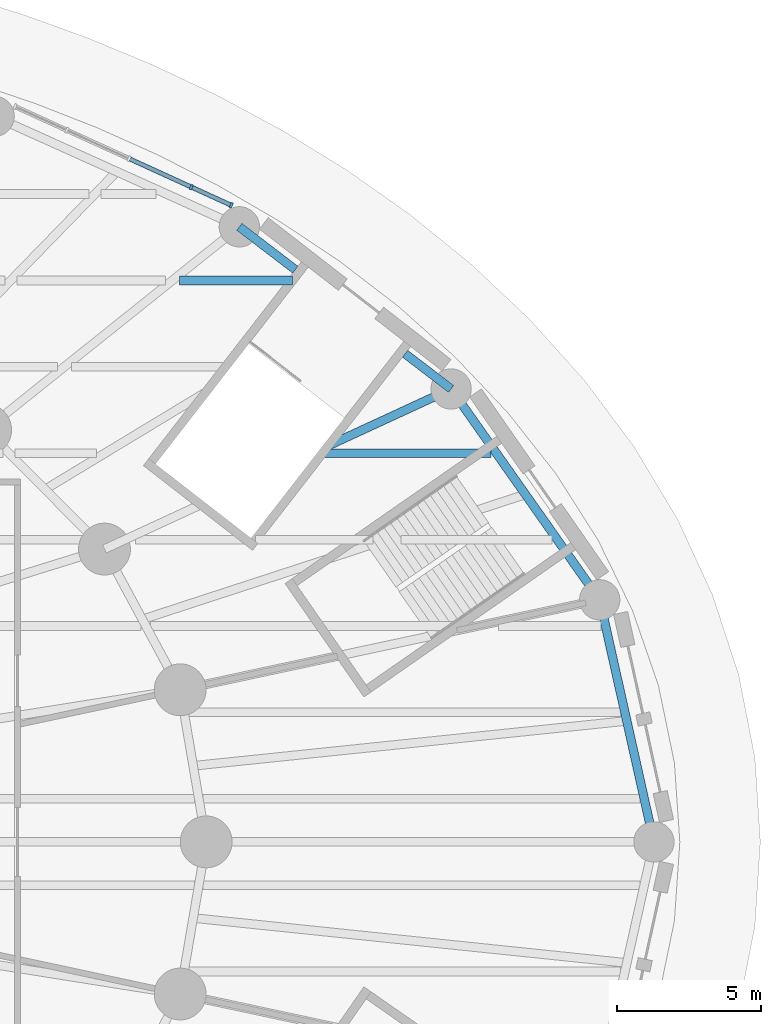
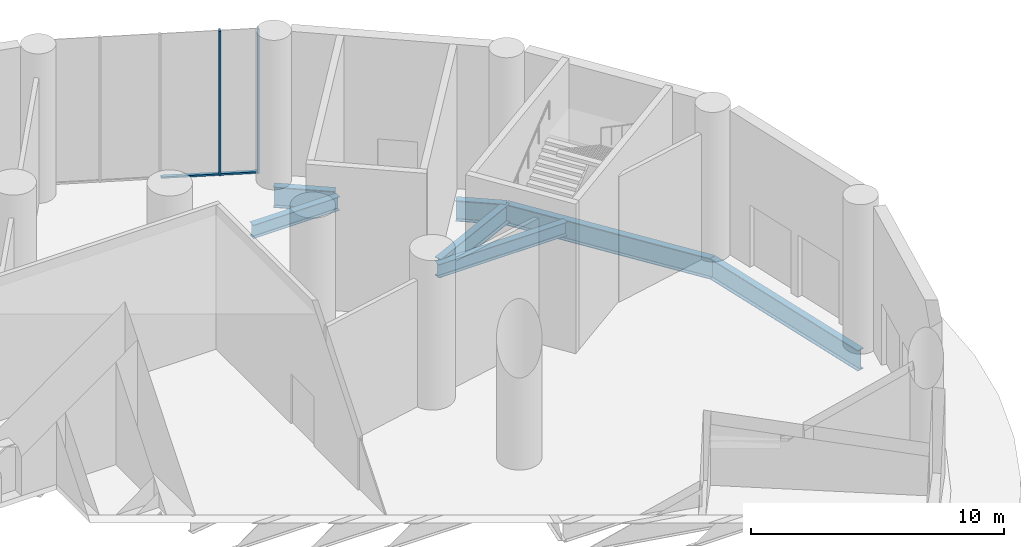
# One storey, part 10 of 22: 7 beams, 4 members, 1 element without a shape of its own.
"""IFC4 building model written with IfcOpenShell, lengths in metres."""

from ifc_helpers import new_model, si_unit, direction, frame, origin, origin_2d, place, context, subcontext, project, spatial, rectangle, i_section, extrude, material, material_profile, profile_set, type_object, element, aggregate, save


model = new_model("IFC4")

# Units and contexts
model_context = context("Model", 3, precision=1e-05, world=origin(), true_north=direction((0.0, 1.0)))
body_context = subcontext(model_context, "Body", "Model", "MODEL_VIEW")
ifc_project = project(units=[si_unit("LENGTHUNIT", "METRE"), si_unit("AREAUNIT", "SQUARE_METRE"), si_unit("VOLUMEUNIT", "CUBIC_METRE"), si_unit("PLANEANGLEUNIT", "RADIAN"), si_unit("MASSUNIT", "GRAM", prefix="KILO")], contexts=[model_context])

# Site, building, storey
site_placement = place(None, origin())
site = spatial("IfcSite", under=ifc_project, at=site_placement, CompositionType="ELEMENT")
building_placement = place(site_placement, origin())
building = spatial("IfcBuilding", under=site, at=building_placement, Name="Hankou Lantern Tower", CompositionType="ELEMENT")
storey_placement = place(building_placement, origin())
storey = spatial("IfcBuildingStorey", under=building, at=storey_placement, Name="L00", CompositionType="ELEMENT", Elevation=0.0)

# Curtain wall, members
ifc_material_1 = material(Name="Glass, dark grey tinted laminated", Category="glass")
curtain_wall_type = type_object("IfcCurtainWallType", Name="CWP PODIUM CURTAIN WALL", PredefinedType="USERDEFINED", material=ifc_material_1)
curtain_wall_placement = place(storey_placement, origin())
curtain_wall = element("IfcCurtainWall", 1, at=curtain_wall_placement, inside=storey, type_object=curtain_wall_type, Name="CWP L00 PC01", ObjectType="PODIUM GLAZING", PredefinedType="USERDEFINED")
ifc_material_2 = material(Name="Aluminium, black anodised", Category="aluminium")
ifc_material_profile_1 = material_profile(ifc_material_2, rectangle(XDim=0.080078125, YDim=0.199951171875, at=origin_2d()), Name="MU2 80X200")
ifc_profile_set_1 = profile_set([ifc_material_profile_1], Name="Aluminium, black anodised")
member_type_1 = type_object("IfcMemberType", Name="MU2 PODIUM MULLION 80X200", PredefinedType="MULLION", material=ifc_profile_set_1)
member_1_placement = place(storey_placement, frame((26.421630859375, 22.10986328125, 0.0), z_axis=(0.0, 0.0, 1.0), x_axis=(-0.909669790944, 0.41533224224, 0.0)))
member_1 = element("IfcMember", 2, at=member_1_placement, type_object=member_type_1, Name="CWP mullion 1", PredefinedType="MULLION", context=body_context, shape_type="SweptSolid", body=[
    extrude(rectangle(XDim=0.080078125, YDim=0.199951171875, at=origin_2d()), origin(), (0.0, 0.0, 1.0), 6.949951171875),
])
member_2_placement = place(storey_placement, frame((25.034423828125, 22.743408203125, 0.0), z_axis=(0.0, 0.0, 1.0), x_axis=(-0.909669790944, 0.41533224224, 0.0)))
member_2 = element("IfcMember", 3, at=member_2_placement, type_object=member_type_1, Name="CWP mullion 2", PredefinedType="MULLION", context=body_context, shape_type="SweptSolid", body=[
    extrude(rectangle(XDim=0.080078125, YDim=0.199951171875, at=origin_2d()), origin(), (0.0, 0.0, 1.0), 6.949951171875),
])

# Beams
ifc_material_3 = material(Name="Steel Q355B", Category="steel")
ifc_material_profile_2 = material_profile(ifc_material_3, i_section(OverallWidth=0.300048828125, OverallDepth=0.89990234375, WebThickness=0.01611328125, FlangeThickness=0.028076171875, FilletRadius=0.01806640625, at=origin_2d()), Name="HN900x300x16x28")
ifc_profile_set_2 = profile_set([ifc_material_profile_2], Name="Steel Q355B")
beam_type_1 = type_object("IfcBeamType", Name="PB13 PODIUM RADIAL BEAM HN900x300x16x28", PredefinedType="BEAM", material=ifc_profile_set_2)
beam_1_placement = place(storey_placement, frame((29.7900390625, 13.759521484375, -0.699951171875), z_axis=(0.907846846005, 0.41930192487, 0.0), x_axis=(-0.41930192487, 0.907846846005, 0.0)))
element("IfcBeam", 4, at=beam_1_placement, inside=storey, type_object=beam_type_1, Name="Podium radial beam R03 L00 outer part", PredefinedType="BEAM", context=body_context, shape_type="SweptSolid", body=[
    extrude(i_section(OverallWidth=0.300048828125, OverallDepth=0.89990234375, WebThickness=0.01611328125, FlangeThickness=0.028076171875, FilletRadius=0.01806640625, at=origin_2d()), origin(), (0.0, 0.0, 1.0), 4.699951171875),
])
ifc_material_4 = material(Name="Steel Q355B", Category="steel")
ifc_material_profile_3 = material_profile(ifc_material_4, i_section(OverallWidth=0.300048828125, OverallDepth=1.0, WebThickness=0.01904296875, FlangeThickness=0.035888671875, FilletRadius=0.01806640625, at=origin_2d()), Name="HN1000x300x19x36")
ifc_profile_set_3 = profile_set([ifc_material_profile_3], Name="Steel Q355B")
beam_type_2 = type_object("IfcBeamType", Name="PR22 PODIUM RING BEAM HN1000x300x19x36", PredefinedType="BEAM", material=ifc_profile_set_3)
beam_2_placement = place(storey_placement, frame((41.10009765625, 0.0, -0.75), z_axis=(-0.218523498172, 0.975831686689, 0.0), x_axis=(-0.975831686689, -0.218523498172, 0.0)))
element("IfcBeam", 5, at=beam_2_placement, inside=storey, type_object=beam_type_2, Name="Podium ring beam R01-R02 L00", PredefinedType="BEAM", context=body_context, shape_type="SweptSolid", body=[
    extrude(i_section(OverallWidth=0.300048828125, OverallDepth=1.0, WebThickness=0.01904296875, FlangeThickness=0.035888671875, FilletRadius=0.01806640625, at=origin_2d()), origin(), (0.0, 0.0, 1.0), 8.614990234375),
])
beam_3_placement = place(storey_placement, frame((39.217529296875, 8.40673828125, -0.75), z_axis=(-0.576021821376, 0.817434316199, 0.0), x_axis=(-0.817434316199, -0.576021821376, 0.0)))
element("IfcBeam", 6, at=beam_3_placement, inside=storey, type_object=beam_type_2, Name="Podium ring beam R02-R03 L00", PredefinedType="BEAM", context=body_context, shape_type="SweptSolid", body=[
    extrude(i_section(OverallWidth=0.300048828125, OverallDepth=1.0, WebThickness=0.01904296875, FlangeThickness=0.035888671875, FilletRadius=0.01806640625, at=origin_2d()), origin(), (0.0, 0.0, 1.0), 8.959228515625),
])
beam_4_placement = place(storey_placement, frame((34.056884765625, 15.730224609375, -0.75), z_axis=(-0.794023845236, 0.607886612121, 0.0), x_axis=(-0.607886612121, -0.794023845236, 0.0)))
element("IfcBeam", 7, at=beam_4_placement, inside=storey, type_object=beam_type_2, Name="Podium ring beam R03-R04 L00 west part", PredefinedType="BEAM", context=body_context, shape_type="SweptSolid", body=[
    extrude(i_section(OverallWidth=0.300048828125, OverallDepth=1.0, WebThickness=0.01904296875, FlangeThickness=0.035888671875, FilletRadius=0.01806640625, at=origin_2d()), origin(), (0.0, 0.0, 1.0), 2.013427734375),
])
beam_5_placement = place(storey_placement, frame((28.647216796875, 19.872314453125, -0.75), z_axis=(-0.793992776659, 0.607927191869, 0.0), x_axis=(-0.607927191869, -0.793992776659, 0.0)))
element("IfcBeam", 8, at=beam_5_placement, inside=storey, type_object=beam_type_2, Name="Podium ring beam R03-R04 L00 east part", PredefinedType="BEAM", context=body_context, shape_type="SweptSolid", body=[
    extrude(i_section(OverallWidth=0.300048828125, OverallDepth=1.0, WebThickness=0.01904296875, FlangeThickness=0.035888671875, FilletRadius=0.01806640625, at=origin_2d()), origin(), (0.0, 0.0, 1.0), 2.44970703125),
])
ifc_material_5 = material(Name="Steel Q355B", Category="steel")
ifc_material_profile_4 = material_profile(ifc_material_5, i_section(OverallWidth=0.300048828125, OverallDepth=0.64990234375, WebThickness=0.010986328125, FlangeThickness=0.01708984375, FilletRadius=0.01806640625, at=origin_2d()), Name="HN650x300x11x17")
ifc_profile_set_4 = profile_set([ifc_material_profile_4], Name="Steel Q355B")
beam_type_3 = type_object("IfcBeamType", Name="SB8 SECONDARY BEAM HN650x300x11x17", PredefinedType="JOIST", material=ifc_profile_set_4)
beam_6_placement = place(storey_placement, frame((29.5888671875, 13.5, -0.574951171875), z_axis=(1.0, 0.0, 0.0), x_axis=(0.0, 1.0, 0.0)))
element("IfcBeam", 9, at=beam_6_placement, inside=storey, type_object=beam_type_3, Name="Floor joist J128 L00", PredefinedType="JOIST", context=body_context, shape_type="SweptSolid", body=[
    extrude(i_section(OverallWidth=0.300048828125, OverallDepth=0.64990234375, WebThickness=0.010986328125, FlangeThickness=0.01708984375, FilletRadius=0.01806640625, at=origin_2d()), origin(), (0.0, 0.0, 1.0), 5.85595703125),
])
beam_7_placement = place(storey_placement, frame((24.615234375, 19.5, -0.574951171875), z_axis=(1.0, 0.0, 0.0), x_axis=(0.0, 1.0, 0.0)))
element("IfcBeam", 10, at=beam_7_placement, inside=storey, type_object=beam_type_3, Name="Floor joist J152 L00", PredefinedType="JOIST", context=body_context, shape_type="SweptSolid", body=[
    extrude(i_section(OverallWidth=0.300048828125, OverallDepth=0.64990234375, WebThickness=0.010986328125, FlangeThickness=0.01708984375, FilletRadius=0.01806640625, at=origin_2d()), origin(), (0.0, 0.0, 1.0), 3.932861328125),
])

# Member
ifc_material_6 = material(Name="Aluminium, black anodised", Category="aluminium")
ifc_material_profile_5 = material_profile(ifc_material_6, rectangle(XDim=0.14990234375, YDim=0.080078125, at=origin_2d()), Name="TR2 150X80")
ifc_profile_set_5 = profile_set([ifc_material_profile_5], Name="Aluminium, black anodised")
member_type_2 = type_object("IfcMemberType", Name="TR2 PODIUM TRANSOM 150X80", PredefinedType="USERDEFINED", material=ifc_profile_set_5)
member_3_placement = place(storey_placement, frame((26.38525390625, 22.126708984375, 0.0400390625), z_axis=(-0.909682453266, 0.415304507825, 0.0), x_axis=(-0.415304507825, -0.909682453266, 0.0)))
member_3 = element("IfcMember", 11, at=member_3_placement, type_object=member_type_2, Name="CWP transom 1", ObjectType="TRANSOM", PredefinedType="USERDEFINED", context=body_context, shape_type="SweptSolid", body=[
    extrude(rectangle(XDim=0.14990234375, YDim=0.080078125, at=origin_2d()), origin(), (0.0, 0.0, 1.0), 1.445068359375),
])

member_4_placement = place(storey_placement, frame((24.998046875, 22.760009765625, 0.0400390625), z_axis=(-0.909669664149, 0.415332519949, 0.0), x_axis=(-0.415332519949, -0.909669664149, 0.0)))
member_4 = element("IfcMember", 12, at=member_4_placement, type_object=member_type_2, Name="CWP transom 2", ObjectType="TRANSOM", PredefinedType="USERDEFINED", context=body_context, shape_type="SweptSolid", body=[
    extrude(rectangle(XDim=0.14990234375, YDim=0.080078125, at=origin_2d()), origin(), (0.0, 0.0, 1.0), 2.296142578125),
])

aggregate(curtain_wall, [member_1, member_2, member_3, member_4])

save(model, "model.ifc")
